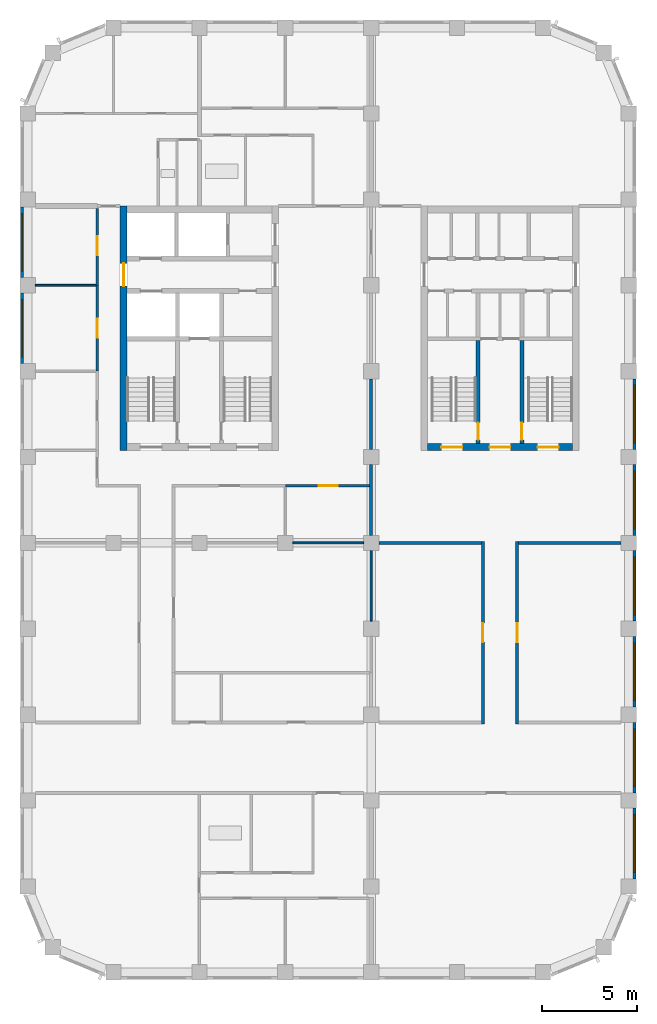
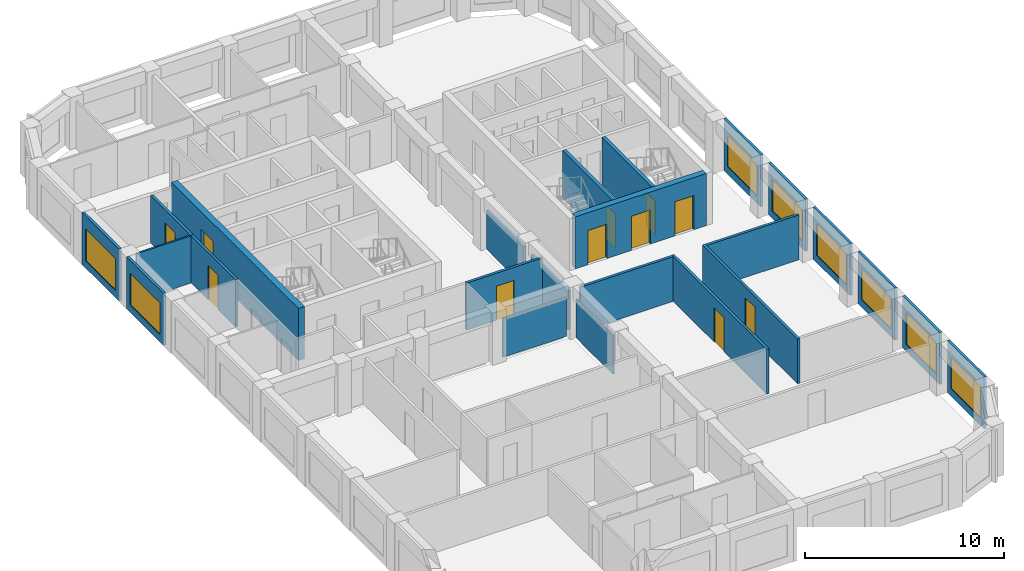
# One storey, part 4 of 9: 24 walls, 11 doors, 8 windows, 19 openings.
"""IFC4 building model written with IfcOpenShell, lengths in metres."""

from ifc_helpers import new_model, si_unit, direction, frame, frame_2d, origin, place, context, subcontext, project, spatial, rectangle, extrude, material, layer, layer_set, type_object, element, fill, save


model = new_model("IFC4")

# Units and contexts
model_context = context("Model", 3, precision=1e-05, world=origin(), true_north=direction((0.0, 1.0)))
body_context = subcontext(model_context, "Body", "Model", "MODEL_VIEW")
ifc_project = project(units=[si_unit("LENGTHUNIT", "METRE"), si_unit("AREAUNIT", "SQUARE_METRE"), si_unit("VOLUMEUNIT", "CUBIC_METRE"), si_unit("PLANEANGLEUNIT", "RADIAN"), si_unit("MASSUNIT", "GRAM", prefix="KILO")], contexts=[model_context])

# Site, building, storey
site_placement = place(None, origin())
site = spatial("IfcSite", under=ifc_project, at=site_placement, CompositionType="ELEMENT")
building_placement = place(site_placement, origin())
building = spatial("IfcBuilding", under=site, at=building_placement, Name="Girih Gate Residences", CompositionType="ELEMENT")
storey_placement = place(building_placement, frame((0.0, 0.0, 222.89501953125)))
storey = spatial("IfcBuildingStorey", under=building, at=storey_placement, Name="L62", CompositionType="ELEMENT", Elevation=222.89501953125)

# Walls
ifc_material_1 = material(Name="Gypsum board on steel studs", Category="steel")
ifc_layer_1 = layer(ifc_material_1, 0.14990234375)
ifc_layer_set_1 = layer_set([ifc_layer_1], Name="Compartment wall 150 mm")
wall_type_1 = type_object("IfcWallType", Name="Compartment wall 150 mm", PredefinedType="PARTITIONING", material=ifc_layer_set_1)
for number, where, z_axis, x_axis, name in (
    (1, (18.39990234375, 22.5, 0.0), (0.0, 0.0, 1.0), (1.0, 0.0, 0.0), "L62 partition"),
    (2, (25.72509765625, 22.5, 0.0), (0.0, 0.0, 1.0), (1.0, 0.0, 0.0), "L62 partition"),
):
    element("IfcWall", number, at=place(storey_placement, frame(where, z_axis=z_axis, x_axis=x_axis)), inside=storey, type_object=wall_type_1, Name=name, PredefinedType="PARTITIONING", context=body_context, shape_type="SweptSolid", body=[
        extrude(rectangle(XDim=5.375, YDim=0.14990234375, at=frame_2d((2.6875, 0.0))), origin(), (0.0, 0.0, 1.0), 2.75),
    ])
for number, where, z_axis, x_axis, name in (
    (3, (18.0, 27.39990234375, 0.0), (0.0, 0.0, 1.0), (0.0, 1.0, 0.0), "L62 partition"),
    (4, (18.0, 22.89990234375, 0.0), (0.0, 0.0, 1.0), (0.0, 1.0, 0.0), "L62 partition"),
):
    element("IfcWall", number, at=place(storey_placement, frame(where, z_axis=z_axis, x_axis=x_axis)), inside=storey, type_object=wall_type_1, Name=name, PredefinedType="PARTITIONING", context=body_context, shape_type="SweptSolid", body=[
        extrude(rectangle(XDim=3.7001953125, YDim=0.14990234375, at=frame_2d((1.85009765625, 0.0))), origin(), (0.0, 0.0, 1.0), 2.3798828125),
    ])

# Wall, opening, door
wall_1_placement = place(storey_placement, frame((23.85009765625, 13.02490234375, 0.0), z_axis=(0.0, 0.0, 1.0), x_axis=(0.0, 1.0, 0.0)))
wall_1 = element("IfcWall", 5, at=wall_1_placement, inside=storey, type_object=wall_type_1, Name="L62 partition", PredefinedType="PARTITIONING", context=body_context, shape_type="SweptSolid", body=[
    extrude(rectangle(XDim=9.550048828125, YDim=0.14990234375, at=frame_2d((4.77490234375, 0.0))), origin(), (0.0, 0.0, 1.0), 2.75),
])
opening_1_placement = place(wall_1_placement, frame((4.27490234375, 0.0, 0.0)))
opening_1 = element("IfcOpeningElement", 6, at=opening_1_placement, cuts=wall_1, Name="Opening A62-021", PredefinedType="OPENING", context=body_context, shape_type="SweptSolid", body=[
    extrude(rectangle(XDim=1.0, YDim=2.10009765625, at=frame_2d((0.5, 1.050048828125))), frame((0.0, 0.0849609375, 0.0), z_axis=(0.0, -1.0, 0.0), x_axis=(1.0, 0.0, 0.0)), (0.0, 0.0, 1.0), 0.169921875),
])
ifc_material_2 = material(Name="Timber, fire-rated core", Category="wood")
door_type_1 = type_object("IfcDoorType", Name="Amenity room door 1000x2100 FD30S", OperationType="NOTDEFINED", PredefinedType="DOOR", material=ifc_material_2)
door_1_placement = place(opening_1_placement, origin())
door_1 = element("IfcDoor", 7, at=door_1_placement, inside=storey, type_object=door_type_1, Name="Door A62-021", OperationType="SINGLE_SWING_RIGHT", OverallHeight=2.10009765625, OverallWidth=1.0, PredefinedType="DOOR", context=body_context, shape_type="SweptSolid", body=[
    extrude(rectangle(XDim=1.0, YDim=2.10009765625, at=frame_2d((0.5, 1.050048828125))), frame((0.0, 0.02490234375, 0.0), z_axis=(0.0, -1.0, 0.0), x_axis=(1.0, 0.0, 0.0)), (0.0, 0.0, 1.0), 0.050048828125),
])
fill(opening_1, door_1)

wall_2_placement = place(storey_placement, frame((25.64990234375, 22.574951171875, 0.0), z_axis=(0.0, 0.0, 1.0), x_axis=(0.0, -1.0, 0.0)))
wall_2 = element("IfcWall", 8, at=wall_2_placement, inside=storey, type_object=wall_type_1, Name="L62 partition", PredefinedType="PARTITIONING", context=body_context, shape_type="SweptSolid", body=[
    extrude(rectangle(XDim=9.550048828125, YDim=0.14990234375, at=frame_2d((4.77490234375, 0.0))), origin(), (0.0, 0.0, 1.0), 2.75),
])
opening_2_placement = place(wall_2_placement, frame((4.27490234375, 0.0, 0.0)))
opening_2 = element("IfcOpeningElement", 9, at=opening_2_placement, cuts=wall_2, Name="Opening A62-022", PredefinedType="OPENING", context=body_context, shape_type="SweptSolid", body=[
    extrude(rectangle(XDim=1.0, YDim=2.10009765625, at=frame_2d((0.5, 1.050048828125))), frame((0.0, 0.0849609375, 0.0), z_axis=(0.0, -1.0, 0.0), x_axis=(1.0, 0.0, 0.0)), (0.0, 0.0, 1.0), 0.169921875),
])
door_2_placement = place(opening_2_placement, origin())
door_2 = element("IfcDoor", 10, at=door_2_placement, inside=storey, type_object=door_type_1, Name="Door A62-022", OperationType="SINGLE_SWING_LEFT", OverallHeight=2.10009765625, OverallWidth=1.0, PredefinedType="DOOR", context=body_context, shape_type="SweptSolid", body=[
    extrude(rectangle(XDim=1.0, YDim=2.10009765625, at=frame_2d((0.5, 1.050048828125))), frame((0.0, 0.02490234375, 0.0), z_axis=(0.0, -1.0, 0.0), x_axis=(1.0, 0.0, 0.0)), (0.0, 0.0, 1.0), 0.050048828125),
])
fill(opening_2, door_2)

wall_3_placement = place(storey_placement, frame((17.925048828125, 25.5, 0.0), z_axis=(0.0, 0.0, 1.0), x_axis=(-1.0, 0.0, 0.0)))
wall_3 = element("IfcWall", 11, at=wall_3_placement, inside=storey, type_object=wall_type_1, Name="L62 partition", PredefinedType="PARTITIONING", context=body_context, shape_type="SweptSolid", body=[
    extrude(rectangle(XDim=4.425048828125, YDim=0.14990234375, at=frame_2d((2.21240234375, 0.0))), origin(), (0.0, 0.0, 1.0), 2.89990234375),
])
opening_3_placement = place(wall_3_placement, frame((1.675048828125, 0.0, 0.0)))
opening_3 = element("IfcOpeningElement", 12, at=opening_3_placement, cuts=wall_3, Name="Opening A62-027", PredefinedType="OPENING", context=body_context, shape_type="SweptSolid", body=[
    extrude(rectangle(XDim=1.0, YDim=2.10009765625, at=frame_2d((0.5, 1.050048828125))), frame((0.0, 0.0849609375, 0.0), z_axis=(0.0, -1.0, 0.0), x_axis=(1.0, 0.0, 0.0)), (0.0, 0.0, 1.0), 0.169921875),
])
door_3_placement = place(opening_3_placement, origin())
door_3 = element("IfcDoor", 13, at=door_3_placement, inside=storey, type_object=door_type_1, Name="Door A62-027", OperationType="SINGLE_SWING_LEFT", OverallHeight=2.10009765625, OverallWidth=1.0, PredefinedType="DOOR", context=body_context, shape_type="SweptSolid", body=[
    extrude(rectangle(XDim=1.0, YDim=2.10009765625, at=frame_2d((0.5, 1.050048828125))), frame((0.0, 0.02490234375, 0.0), z_axis=(0.0, -1.0, 0.0), x_axis=(1.0, 0.0, 0.0)), (0.0, 0.0, 1.0), 0.050048828125),
])
fill(opening_3, door_3)

wall_4_placement = place(storey_placement, frame((3.64990234375, 31.5, 0.0), z_axis=(0.0, 0.0, 1.0), x_axis=(0.0, 1.0, 0.0)))
wall_4 = element("IfcWall", 14, at=wall_4_placement, inside=storey, type_object=wall_type_1, Name="L62 partition", PredefinedType="PARTITIONING", context=body_context, shape_type="SweptSolid", body=[
    extrude(rectangle(XDim=4.5, YDim=0.14990234375, at=frame_2d((2.25, 0.0))), origin(), (0.0, 0.0, 1.0), 2.89990234375),
])
opening_4_placement = place(wall_4_placement, frame((1.75, 0.0, 0.0)))
opening_4 = element("IfcOpeningElement", 15, at=opening_4_placement, cuts=wall_4, Name="Opening A62-029", PredefinedType="OPENING", context=body_context, shape_type="SweptSolid", body=[
    extrude(rectangle(XDim=1.0, YDim=2.10009765625, at=frame_2d((0.5, 1.050048828125))), frame((0.0, 0.0849609375, 0.0), z_axis=(0.0, -1.0, 0.0), x_axis=(1.0, 0.0, 0.0)), (0.0, 0.0, 1.0), 0.169921875),
])
door_4_placement = place(opening_4_placement, origin())
door_4 = element("IfcDoor", 16, at=door_4_placement, inside=storey, type_object=door_type_1, Name="Door A62-029", OperationType="SINGLE_SWING_RIGHT", OverallHeight=2.10009765625, OverallWidth=1.0, PredefinedType="DOOR", context=body_context, shape_type="SweptSolid", body=[
    extrude(rectangle(XDim=1.0, YDim=2.10009765625, at=frame_2d((0.5, 1.050048828125))), frame((0.0, 0.02490234375, 0.0), z_axis=(0.0, -1.0, 0.0), x_axis=(1.0, 0.0, 0.0)), (0.0, 0.0, 1.0), 0.050048828125),
])
fill(opening_4, door_4)

wall_5_placement = place(storey_placement, frame((3.64990234375, 36.0, 0.0), z_axis=(0.0, 0.0, 1.0), x_axis=(0.0, 1.0, 0.0)))
wall_5 = element("IfcWall", 17, at=wall_5_placement, inside=storey, type_object=wall_type_1, Name="L62 partition", PredefinedType="PARTITIONING", context=body_context, shape_type="SweptSolid", body=[
    extrude(rectangle(XDim=4.02490234375, YDim=0.14990234375, at=frame_2d((2.012451171875, 0.0))), origin(), (0.0, 0.0, 1.0), 2.89990234375),
])
opening_5_placement = place(wall_5_placement, frame((1.574951171875, 0.0, 0.0)))
opening_5 = element("IfcOpeningElement", 18, at=opening_5_placement, cuts=wall_5, Name="Opening A62-030", PredefinedType="OPENING", context=body_context, shape_type="SweptSolid", body=[
    extrude(rectangle(XDim=1.0, YDim=2.10009765625, at=frame_2d((0.5, 1.050048828125))), frame((0.0, 0.0849609375, 0.0), z_axis=(0.0, -1.0, 0.0), x_axis=(1.0, 0.0, 0.0)), (0.0, 0.0, 1.0), 0.169921875),
])
door_5_placement = place(opening_5_placement, origin())
door_5 = element("IfcDoor", 19, at=door_5_placement, inside=storey, type_object=door_type_1, Name="Door A62-030", OperationType="SINGLE_SWING_RIGHT", OverallHeight=2.10009765625, OverallWidth=1.0, PredefinedType="DOOR", context=body_context, shape_type="SweptSolid", body=[
    extrude(rectangle(XDim=1.0, YDim=2.10009765625, at=frame_2d((0.5, 1.050048828125))), frame((0.0, 0.02490234375, 0.0), z_axis=(0.0, -1.0, 0.0), x_axis=(1.0, 0.0, 0.0)), (0.0, 0.0, 1.0), 0.050048828125),
])
fill(opening_5, door_5)

ifc_material_3 = material(Name="Concrete C60/75", Category="concrete")
ifc_layer_2 = layer(ifc_material_3, 0.35009765625)
ifc_layer_set_2 = layer_set([ifc_layer_2], Name="Core wall RC 350 Concrete C60/75")
wall_type_2 = type_object("IfcWallType", Name="Core wall RC 350 Concrete C60/75", PredefinedType="SOLIDWALL", material=ifc_layer_set_2)
wall_6_placement = place(storey_placement, frame((5.02490234375, 27.35009765625, 0.0), z_axis=(0.0, 0.0, 1.0), x_axis=(0.0, 1.0, 0.0)))
wall_6 = element("IfcWall", 20, at=wall_6_placement, inside=storey, type_object=wall_type_2, Name="Core wall W-W L62", PredefinedType="SOLIDWALL", context=body_context, shape_type="SweptSolid", body=[
    extrude(rectangle(XDim=12.7998046875, YDim=0.35009765625, at=frame_2d((6.39990234375, 0.0))), origin(), (0.0, 0.0, 1.0), 3.199951171875),
])
opening_6_placement = place(wall_6_placement, frame((8.60009765625, 0.0, 0.0)))
opening_6 = element("IfcOpeningElement", 21, at=opening_6_placement, cuts=wall_6, Name="Opening D-L62-W-012", PredefinedType="OPENING", context=body_context, shape_type="SweptSolid", body=[
    extrude(rectangle(XDim=1.199951171875, YDim=2.10009765625, at=frame_2d((0.60009765625, 1.050048828125))), frame((0.0, 0.18505859375, 0.0), z_axis=(0.0, -1.0, 0.0), x_axis=(1.0, 0.0, 0.0)), (0.0, 0.0, 1.0), 0.3701171875),
])
ifc_material_4 = material(Name="Painted steel, fire-resisting", Category="steel")
door_type_2 = type_object("IfcDoorType", Name="Fire door 1200x2100", OperationType="SINGLE_SWING_LEFT", PredefinedType="DOOR", material=ifc_material_4)
door_6_placement = place(opening_6_placement, origin())
door_6 = element("IfcDoor", 22, at=door_6_placement, inside=storey, type_object=door_type_2, Name="L62 W core door ll-w", OperationType="SINGLE_SWING_LEFT", OverallHeight=2.10009765625, OverallWidth=1.199951171875, PredefinedType="DOOR", context=body_context, shape_type="SweptSolid", body=[
    extrude(rectangle(XDim=1.199951171875, YDim=2.10009765625, at=frame_2d((0.60009765625, 1.050048828125))), frame((0.0, 0.02490234375, 0.0), z_axis=(0.0, -1.0, 0.0), x_axis=(1.0, 0.0, 0.0)), (0.0, 0.0, 1.0), 0.050048828125),
])
fill(opening_6, door_6)

# Walls
ifc_layer_3 = layer(ifc_material_1, 0.10009765625)
ifc_layer_set_3 = layer_set([ifc_layer_3], Name="Partition 100 mm")
wall_type_3 = type_object("IfcWallType", Name="Partition 100 mm", PredefinedType="PARTITIONING", material=ifc_layer_set_3)
for number, where, z_axis, x_axis, name in (
    (23, (18.0, 18.39990234375, 0.0), (0.0, 0.0, 1.0), (0.0, 1.0, 0.0), "L62 partition"),
    (24, (13.89990234375, 22.5, 0.0), (0.0, 0.0, 1.0), (1.0, 0.0, 0.0), "L62 partition"),
):
    element("IfcWall", number, at=place(storey_placement, frame(where, z_axis=z_axis, x_axis=x_axis)), inside=storey, type_object=wall_type_3, Name=name, PredefinedType="PARTITIONING", context=body_context, shape_type="SweptSolid", body=[
        extrude(rectangle(XDim=3.7001953125, YDim=0.10009765625, at=frame_2d((1.85009765625, 0.0))), origin(), (0.0, 0.0, 1.0), 2.3798828125),
    ])
wall_7_placement = place(storey_placement, frame((0.39990234375, 36.0, 0.0), z_axis=(0.0, 0.0, 1.0), x_axis=(1.0, 0.0, 0.0)))
element("IfcWall", 25, at=wall_7_placement, inside=storey, type_object=wall_type_3, Name="L62 partition", PredefinedType="PARTITIONING", context=body_context, shape_type="SweptSolid", body=[
    extrude(rectangle(XDim=3.175048828125, YDim=0.10009765625, at=frame_2d((1.58740234375, 0.0))), origin(), (0.0, 0.0, 1.0), 2.89990234375),
])

# Wall, opening, window
ifc_material_5 = material(Name="Precast concrete C50/60", Category="concrete")
ifc_layer_4 = layer(ifc_material_5, 0.050048828125, Name="Outer leaf")
ifc_material_6 = material(Name="Rigid PIR insulation")
ifc_layer_5 = layer(ifc_material_6, 0.06005859375, Name="Insulation")
ifc_material_7 = material(Name="Precast concrete C40/50", Category="concrete")
ifc_layer_6 = layer(ifc_material_7, 0.0400390625, Name="Inner leaf")
ifc_layer_set_4 = layer_set([ifc_layer_4, ifc_layer_5, ifc_layer_6], Name="Precast concrete C50/60 external wall 150")
wall_type_4 = type_object("IfcWallType", Name="Precast concrete C50/60 external wall 150", PredefinedType="SOLIDWALL", material=ifc_layer_set_4)
wall_8_placement = place(storey_placement, frame((31.800048828125, 8.60009765625, 0.0), z_axis=(0.0, 0.0, 1.0), x_axis=(0.0, -1.0, 0.0)))
wall_8 = element("IfcWall", 26, at=wall_8_placement, inside=storey, type_object=wall_type_4, Name="External wall E0315_0045.0", PredefinedType="SOLIDWALL", context=body_context, shape_type="SweptSolid", body=[
    extrude(rectangle(XDim=3.7001953125, YDim=0.14990234375, at=frame_2d((1.85009765625, 0.0))), origin(), (0.0, 0.0, 1.0), 3.199951171875),
])
opening_7_placement = place(wall_8_placement, frame((0.35009765625, 0.0, 0.449951171875)))
opening_7 = element("IfcOpeningElement", 27, at=opening_7_placement, cuts=wall_8, Name="Opening W-1D", PredefinedType="OPENING", context=body_context, shape_type="SweptSolid", body=[
    extrude(rectangle(XDim=3.0, YDim=1.949951171875, at=frame_2d((1.5, 0.97509765625))), frame((0.0, 0.0849609375, 0.0), z_axis=(0.0, -1.0, 0.0), x_axis=(1.0, 0.0, 0.0)), (0.0, 0.0, 1.0), 0.169921875),
])
ifc_material_8 = material(Name="Double glazing in aluminium frame", Category="aluminium")
window_type = type_object("IfcWindowType", Name="Window W-1D 3000x1950", PartitioningType="SINGLE_PANEL", PredefinedType="WINDOW", material=ifc_material_8)
window_1_placement = place(opening_7_placement, origin())
window_1 = element("IfcWindow", 28, at=window_1_placement, inside=storey, type_object=window_type, Name="Window W-1D E0315_0045.0", OverallHeight=1.949951171875, OverallWidth=3.0, PartitioningType="SINGLE_PANEL", PredefinedType="WINDOW", context=body_context, shape_type="SweptSolid", body=[
    extrude(rectangle(XDim=3.0, YDim=1.949951171875, at=frame_2d((1.5, 0.97509765625))), frame((0.0, 0.030029296875, 0.0), z_axis=(0.0, -1.0, 0.0), x_axis=(1.0, 0.0, 0.0)), (0.0, 0.0, 1.0), 0.06005859375),
])
fill(opening_7, window_1)

wall_9_placement = place(storey_placement, frame((31.800048828125, 13.10009765625, 0.0), z_axis=(0.0, 0.0, 1.0), x_axis=(0.0, -1.0, 0.0)))
wall_9 = element("IfcWall", 29, at=wall_9_placement, inside=storey, type_object=wall_type_4, Name="External wall E0315_0045.1", PredefinedType="SOLIDWALL", context=body_context, shape_type="SweptSolid", body=[
    extrude(rectangle(XDim=3.7001953125, YDim=0.14990234375, at=frame_2d((1.85009765625, 0.0))), origin(), (0.0, 0.0, 1.0), 3.199951171875),
])
opening_8_placement = place(wall_9_placement, frame((0.35009765625, 0.0, 0.449951171875)))
opening_8 = element("IfcOpeningElement", 30, at=opening_8_placement, cuts=wall_9, Name="Opening W-1D", PredefinedType="OPENING", context=body_context, shape_type="SweptSolid", body=[
    extrude(rectangle(XDim=3.0, YDim=1.949951171875, at=frame_2d((1.5, 0.97509765625))), frame((0.0, 0.0849609375, 0.0), z_axis=(0.0, -1.0, 0.0), x_axis=(1.0, 0.0, 0.0)), (0.0, 0.0, 1.0), 0.169921875),
])
window_2_placement = place(opening_8_placement, origin())
window_2 = element("IfcWindow", 31, at=window_2_placement, inside=storey, type_object=window_type, Name="Window W-1D E0315_0045.1", OverallHeight=1.949951171875, OverallWidth=3.0, PartitioningType="SINGLE_PANEL", PredefinedType="WINDOW", context=body_context, shape_type="SweptSolid", body=[
    extrude(rectangle(XDim=3.0, YDim=1.949951171875, at=frame_2d((1.5, 0.97509765625))), frame((0.0, 0.030029296875, 0.0), z_axis=(0.0, -1.0, 0.0), x_axis=(1.0, 0.0, 0.0)), (0.0, 0.0, 1.0), 0.06005859375),
])
fill(opening_8, window_2)

wall_10_placement = place(storey_placement, frame((31.800048828125, 17.60009765625, 0.0), z_axis=(0.0, 0.0, 1.0), x_axis=(0.0, -1.0, 0.0)))
wall_10 = element("IfcWall", 32, at=wall_10_placement, inside=storey, type_object=wall_type_4, Name="External wall E0315_0045.2", PredefinedType="SOLIDWALL", context=body_context, shape_type="SweptSolid", body=[
    extrude(rectangle(XDim=3.7001953125, YDim=0.14990234375, at=frame_2d((1.85009765625, 0.0))), origin(), (0.0, 0.0, 1.0), 3.199951171875),
])
opening_9_placement = place(wall_10_placement, frame((0.35009765625, 0.0, 0.449951171875)))
opening_9 = element("IfcOpeningElement", 33, at=opening_9_placement, cuts=wall_10, Name="Opening W-1D", PredefinedType="OPENING", context=body_context, shape_type="SweptSolid", body=[
    extrude(rectangle(XDim=3.0, YDim=1.949951171875, at=frame_2d((1.5, 0.97509765625))), frame((0.0, 0.0849609375, 0.0), z_axis=(0.0, -1.0, 0.0), x_axis=(1.0, 0.0, 0.0)), (0.0, 0.0, 1.0), 0.169921875),
])
window_3_placement = place(opening_9_placement, origin())
window_3 = element("IfcWindow", 34, at=window_3_placement, inside=storey, type_object=window_type, Name="Window W-1D E0315_0045.2", OverallHeight=1.949951171875, OverallWidth=3.0, PartitioningType="SINGLE_PANEL", PredefinedType="WINDOW", context=body_context, shape_type="SweptSolid", body=[
    extrude(rectangle(XDim=3.0, YDim=1.949951171875, at=frame_2d((1.5, 0.97509765625))), frame((0.0, 0.030029296875, 0.0), z_axis=(0.0, -1.0, 0.0), x_axis=(1.0, 0.0, 0.0)), (0.0, 0.0, 1.0), 0.06005859375),
])
fill(opening_9, window_3)

wall_11_placement = place(storey_placement, frame((31.800048828125, 22.10009765625, 0.0), z_axis=(0.0, 0.0, 1.0), x_axis=(0.0, -1.0, 0.0)))
wall_11 = element("IfcWall", 35, at=wall_11_placement, inside=storey, type_object=wall_type_4, Name="External wall E0315_0045.3", PredefinedType="SOLIDWALL", context=body_context, shape_type="SweptSolid", body=[
    extrude(rectangle(XDim=3.7001953125, YDim=0.14990234375, at=frame_2d((1.85009765625, 0.0))), origin(), (0.0, 0.0, 1.0), 3.199951171875),
])
opening_10_placement = place(wall_11_placement, frame((0.35009765625, 0.0, 0.449951171875)))
opening_10 = element("IfcOpeningElement", 36, at=opening_10_placement, cuts=wall_11, Name="Opening W-1D", PredefinedType="OPENING", context=body_context, shape_type="SweptSolid", body=[
    extrude(rectangle(XDim=3.0, YDim=1.949951171875, at=frame_2d((1.5, 0.97509765625))), frame((0.0, 0.0849609375, 0.0), z_axis=(0.0, -1.0, 0.0), x_axis=(1.0, 0.0, 0.0)), (0.0, 0.0, 1.0), 0.169921875),
])
window_4_placement = place(opening_10_placement, origin())
window_4 = element("IfcWindow", 37, at=window_4_placement, inside=storey, type_object=window_type, Name="Window W-1D E0315_0045.3", OverallHeight=1.949951171875, OverallWidth=3.0, PartitioningType="SINGLE_PANEL", PredefinedType="WINDOW", context=body_context, shape_type="SweptSolid", body=[
    extrude(rectangle(XDim=3.0, YDim=1.949951171875, at=frame_2d((1.5, 0.97509765625))), frame((0.0, 0.030029296875, 0.0), z_axis=(0.0, -1.0, 0.0), x_axis=(1.0, 0.0, 0.0)), (0.0, 0.0, 1.0), 0.06005859375),
])
fill(opening_10, window_4)

wall_12_placement = place(storey_placement, frame((31.800048828125, 26.60009765625, 0.0), z_axis=(0.0, 0.0, 1.0), x_axis=(0.0, -1.0, 0.0)))
wall_12 = element("IfcWall", 38, at=wall_12_placement, inside=storey, type_object=wall_type_4, Name="External wall E0315_0045.4", PredefinedType="SOLIDWALL", context=body_context, shape_type="SweptSolid", body=[
    extrude(rectangle(XDim=3.7001953125, YDim=0.14990234375, at=frame_2d((1.85009765625, 0.0))), origin(), (0.0, 0.0, 1.0), 3.199951171875),
])
opening_11_placement = place(wall_12_placement, frame((0.35009765625, 0.0, 0.449951171875)))
opening_11 = element("IfcOpeningElement", 39, at=opening_11_placement, cuts=wall_12, Name="Opening W-1D", PredefinedType="OPENING", context=body_context, shape_type="SweptSolid", body=[
    extrude(rectangle(XDim=3.0, YDim=1.949951171875, at=frame_2d((1.5, 0.97509765625))), frame((0.0, 0.0849609375, 0.0), z_axis=(0.0, -1.0, 0.0), x_axis=(1.0, 0.0, 0.0)), (0.0, 0.0, 1.0), 0.169921875),
])
window_5_placement = place(opening_11_placement, origin())
window_5 = element("IfcWindow", 40, at=window_5_placement, inside=storey, type_object=window_type, Name="Window W-1D E0315_0045.4", OverallHeight=1.949951171875, OverallWidth=3.0, PartitioningType="SINGLE_PANEL", PredefinedType="WINDOW", context=body_context, shape_type="SweptSolid", body=[
    extrude(rectangle(XDim=3.0, YDim=1.949951171875, at=frame_2d((1.5, 0.97509765625))), frame((0.0, 0.030029296875, 0.0), z_axis=(0.0, -1.0, 0.0), x_axis=(1.0, 0.0, 0.0)), (0.0, 0.0, 1.0), 0.06005859375),
])
fill(opening_11, window_5)

wall_13_placement = place(storey_placement, frame((31.800048828125, 31.10009765625, 0.0), z_axis=(0.0, 0.0, 1.0), x_axis=(0.0, -1.0, 0.0)))
wall_13 = element("IfcWall", 41, at=wall_13_placement, inside=storey, type_object=wall_type_4, Name="External wall E0315_0045.5", PredefinedType="SOLIDWALL", context=body_context, shape_type="SweptSolid", body=[
    extrude(rectangle(XDim=3.7001953125, YDim=0.14990234375, at=frame_2d((1.85009765625, 0.0))), origin(), (0.0, 0.0, 1.0), 3.199951171875),
])
opening_12_placement = place(wall_13_placement, frame((0.35009765625, 0.0, 0.449951171875)))
opening_12 = element("IfcOpeningElement", 42, at=opening_12_placement, cuts=wall_13, Name="Opening W-1D", PredefinedType="OPENING", context=body_context, shape_type="SweptSolid", body=[
    extrude(rectangle(XDim=3.0, YDim=1.949951171875, at=frame_2d((1.5, 0.97509765625))), frame((0.0, 0.0849609375, 0.0), z_axis=(0.0, -1.0, 0.0), x_axis=(1.0, 0.0, 0.0)), (0.0, 0.0, 1.0), 0.169921875),
])
window_6_placement = place(opening_12_placement, origin())
window_6 = element("IfcWindow", 43, at=window_6_placement, inside=storey, type_object=window_type, Name="Window W-1D E0315_0045.5", OverallHeight=1.949951171875, OverallWidth=3.0, PartitioningType="SINGLE_PANEL", PredefinedType="WINDOW", context=body_context, shape_type="SweptSolid", body=[
    extrude(rectangle(XDim=3.0, YDim=1.949951171875, at=frame_2d((1.5, 0.97509765625))), frame((0.0, 0.030029296875, 0.0), z_axis=(0.0, -1.0, 0.0), x_axis=(1.0, 0.0, 0.0)), (0.0, 0.0, 1.0), 0.06005859375),
])
fill(opening_12, window_6)

wall_14_placement = place(storey_placement, frame((-0.300048828125, 36.39990234375, 0.0), z_axis=(0.0, 0.0, 1.0), x_axis=(0.0, 1.0, 0.0)))
wall_14 = element("IfcWall", 44, at=wall_14_placement, inside=storey, type_object=wall_type_4, Name="External wall W0000_0450.1", PredefinedType="SOLIDWALL", context=body_context, shape_type="SweptSolid", body=[
    extrude(rectangle(XDim=3.7001953125, YDim=0.14990234375, at=frame_2d((1.85009765625, 0.0))), origin(), (0.0, 0.0, 1.0), 3.199951171875),
])
opening_13_placement = place(wall_14_placement, frame((0.35009765625, 0.0, 0.449951171875)))
opening_13 = element("IfcOpeningElement", 45, at=opening_13_placement, cuts=wall_14, Name="Opening W-1D", PredefinedType="OPENING", context=body_context, shape_type="SweptSolid", body=[
    extrude(rectangle(XDim=3.0, YDim=1.949951171875, at=frame_2d((1.5, 0.97509765625))), frame((0.0, 0.0849609375, 0.0), z_axis=(0.0, -1.0, 0.0), x_axis=(1.0, 0.0, 0.0)), (0.0, 0.0, 1.0), 0.169921875),
])
window_7_placement = place(opening_13_placement, origin())
window_7 = element("IfcWindow", 46, at=window_7_placement, inside=storey, type_object=window_type, Name="Window W-1D W0000_0450.1", OverallHeight=1.949951171875, OverallWidth=3.0, PartitioningType="SINGLE_PANEL", PredefinedType="WINDOW", context=body_context, shape_type="SweptSolid", body=[
    extrude(rectangle(XDim=3.0, YDim=1.949951171875, at=frame_2d((1.5, 0.97509765625))), frame((0.0, 0.030029296875, 0.0), z_axis=(0.0, -1.0, 0.0), x_axis=(1.0, 0.0, 0.0)), (0.0, 0.0, 1.0), 0.06005859375),
])
fill(opening_13, window_7)

wall_15_placement = place(storey_placement, frame((-0.300048828125, 31.89990234375, 0.0), z_axis=(0.0, 0.0, 1.0), x_axis=(0.0, 1.0, 0.0)))
wall_15 = element("IfcWall", 47, at=wall_15_placement, inside=storey, type_object=wall_type_4, Name="External wall W0000_0450.2", PredefinedType="SOLIDWALL", context=body_context, shape_type="SweptSolid", body=[
    extrude(rectangle(XDim=3.7001953125, YDim=0.14990234375, at=frame_2d((1.85009765625, 0.0))), origin(), (0.0, 0.0, 1.0), 3.199951171875),
])
opening_14_placement = place(wall_15_placement, frame((0.35009765625, 0.0, 0.449951171875)))
opening_14 = element("IfcOpeningElement", 48, at=opening_14_placement, cuts=wall_15, Name="Opening W-1D", PredefinedType="OPENING", context=body_context, shape_type="SweptSolid", body=[
    extrude(rectangle(XDim=3.0, YDim=1.949951171875, at=frame_2d((1.5, 0.97509765625))), frame((0.0, 0.0849609375, 0.0), z_axis=(0.0, -1.0, 0.0), x_axis=(1.0, 0.0, 0.0)), (0.0, 0.0, 1.0), 0.169921875),
])
window_8_placement = place(opening_14_placement, origin())
window_8 = element("IfcWindow", 49, at=window_8_placement, inside=storey, type_object=window_type, Name="Window W-1D W0000_0450.2", OverallHeight=1.949951171875, OverallWidth=3.0, PartitioningType="SINGLE_PANEL", PredefinedType="WINDOW", context=body_context, shape_type="SweptSolid", body=[
    extrude(rectangle(XDim=3.0, YDim=1.949951171875, at=frame_2d((1.5, 0.97509765625))), frame((0.0, 0.030029296875, 0.0), z_axis=(0.0, -1.0, 0.0), x_axis=(1.0, 0.0, 0.0)), (0.0, 0.0, 1.0), 0.06005859375),
])
fill(opening_14, window_8)

# Wall, opening, door
ifc_material_9 = material(Name="Concrete C40/50", Category="concrete")
ifc_layer_7 = layer(ifc_material_9, 0.199951171875)
ifc_layer_set_5 = layer_set([ifc_layer_7], Name="Shaft wall 200")
wall_type_5 = type_object("IfcWallType", Name="Shaft wall 200", PredefinedType="SOLIDWALL", material=ifc_layer_set_5)
wall_16_placement = place(storey_placement, frame((23.60009765625, 27.699951171875, 0.0), z_axis=(0.0, 0.0, 1.0), x_axis=(0.0, 1.0, 0.0)))
wall_16 = element("IfcWall", 50, at=wall_16_placement, inside=storey, type_object=wall_type_5, Name="L62 C core wall V1a", PredefinedType="SOLIDWALL", context=body_context, shape_type="SweptSolid", body=[
    extrude(rectangle(XDim=5.400146484375, YDim=0.199951171875, at=frame_2d((2.7001953125, 0.0))), origin(), (0.0, 0.0, 1.0), 2.89990234375),
])
opening_15_placement = place(wall_16_placement, frame((0.199951171875, 0.0, 0.0)))
opening_15 = element("IfcOpeningElement", 51, at=opening_15_placement, cuts=wall_16, Name="Opening D-L62-C-001", PredefinedType="OPENING", context=body_context, shape_type="SweptSolid", body=[
    extrude(rectangle(XDim=0.89990234375, YDim=2.10009765625, at=frame_2d((0.449951171875, 1.050048828125))), frame((0.0, 0.10986328125, 0.0), z_axis=(0.0, -1.0, 0.0), x_axis=(1.0, 0.0, 0.0)), (0.0, 0.0, 1.0), 0.219970703125),
])
door_type_3 = type_object("IfcDoorType", Name="Fire door 900x2100", OperationType="SINGLE_SWING_LEFT", PredefinedType="DOOR", material=ifc_material_4)
door_7_placement = place(opening_15_placement, origin())
door_7 = element("IfcDoor", 52, at=door_7_placement, inside=storey, type_object=door_type_3, Name="L62 C door stair 1 to stair lobby", OperationType="SINGLE_SWING_LEFT", OverallHeight=2.10009765625, OverallWidth=0.89990234375, PredefinedType="DOOR", context=body_context, shape_type="SweptSolid", body=[
    extrude(rectangle(XDim=0.89990234375, YDim=2.10009765625, at=frame_2d((0.449951171875, 1.050048828125))), frame((0.0, 0.02490234375, 0.0), z_axis=(0.0, -1.0, 0.0), x_axis=(1.0, 0.0, 0.0)), (0.0, 0.0, 1.0), 0.050048828125),
])
fill(opening_15, door_7)

wall_17_placement = place(storey_placement, frame((25.89990234375, 27.699951171875, 0.0), z_axis=(0.0, 0.0, 1.0), x_axis=(0.0, 1.0, 0.0)))
wall_17 = element("IfcWall", 53, at=wall_17_placement, inside=storey, type_object=wall_type_5, Name="L62 C core wall V2a", PredefinedType="SOLIDWALL", context=body_context, shape_type="SweptSolid", body=[
    extrude(rectangle(XDim=5.400146484375, YDim=0.199951171875, at=frame_2d((2.7001953125, 0.0))), origin(), (0.0, 0.0, 1.0), 2.89990234375),
])
opening_16_placement = place(wall_17_placement, frame((0.199951171875, 0.0, 0.0)))
opening_16 = element("IfcOpeningElement", 54, at=opening_16_placement, cuts=wall_17, Name="Opening D-L62-C-002", PredefinedType="OPENING", context=body_context, shape_type="SweptSolid", body=[
    extrude(rectangle(XDim=0.89990234375, YDim=2.10009765625, at=frame_2d((0.449951171875, 1.050048828125))), frame((0.0, 0.10986328125, 0.0), z_axis=(0.0, -1.0, 0.0), x_axis=(1.0, 0.0, 0.0)), (0.0, 0.0, 1.0), 0.219970703125),
])
door_8_placement = place(opening_16_placement, origin())
door_8 = element("IfcDoor", 55, at=door_8_placement, inside=storey, type_object=door_type_3, Name="L62 C door stair 2 to stair lobby", OperationType="SINGLE_SWING_LEFT", OverallHeight=2.10009765625, OverallWidth=0.89990234375, PredefinedType="DOOR", context=body_context, shape_type="SweptSolid", body=[
    extrude(rectangle(XDim=0.89990234375, YDim=2.10009765625, at=frame_2d((0.449951171875, 1.050048828125))), frame((0.0, 0.02490234375, 0.0), z_axis=(0.0, -1.0, 0.0), x_axis=(1.0, 0.0, 0.0)), (0.0, 0.0, 1.0), 0.050048828125),
])
fill(opening_16, door_8)

# Wall, openings, doors
ifc_layer_8 = layer(ifc_material_9, 0.35009765625)
ifc_layer_set_6 = layer_set([ifc_layer_8], Name="Stair core wall RC 350 Concrete C40/50")
wall_type_6 = type_object("IfcWallType", Name="Stair core wall RC 350 Concrete C40/50", PredefinedType="SOLIDWALL", material=ifc_layer_set_6)
wall_18_placement = place(storey_placement, frame((20.949951171875, 27.52490234375, 0.0), z_axis=(0.0, 0.0, 1.0), x_axis=(1.0, 0.0, 0.0)))
wall_18 = element("IfcWall", 56, at=wall_18_placement, inside=storey, type_object=wall_type_6, Name="Stair core wall C-S L62", PredefinedType="SOLIDWALL", context=body_context, shape_type="SweptSolid", body=[
    extrude(rectangle(XDim=7.60009765625, YDim=0.35009765625, at=frame_2d((3.800048828125, 0.0))), origin(), (0.0, 0.0, 1.0), 3.199951171875),
])
opening_17_placement = place(wall_18_placement, frame((0.72509765625, 0.0, 0.0)))
opening_17 = element("IfcOpeningElement", 57, at=opening_17_placement, cuts=wall_18, Name="Opening D-L62-C-014", PredefinedType="OPENING", context=body_context, shape_type="SweptSolid", body=[
    extrude(rectangle(XDim=1.10009765625, YDim=2.10009765625, at=frame_2d((0.550048828125, 1.050048828125))), frame((0.0, 0.18505859375, 0.0), z_axis=(0.0, -1.0, 0.0), x_axis=(1.0, 0.0, 0.0)), (0.0, 0.0, 1.0), 0.3701171875),
])
opening_18_placement = place(wall_18_placement, frame((3.25, 0.0, 0.0)))
opening_18 = element("IfcOpeningElement", 58, at=opening_18_placement, cuts=wall_18, Name="Opening D-L62-C-015", PredefinedType="OPENING", context=body_context, shape_type="SweptSolid", body=[
    extrude(rectangle(XDim=1.10009765625, YDim=2.10009765625, at=frame_2d((0.550048828125, 1.050048828125))), frame((0.0, 0.18505859375, 0.0), z_axis=(0.0, -1.0, 0.0), x_axis=(1.0, 0.0, 0.0)), (0.0, 0.0, 1.0), 0.3701171875),
])
opening_19_placement = place(wall_18_placement, frame((5.77490234375, 0.0, 0.0)))
opening_19 = element("IfcOpeningElement", 59, at=opening_19_placement, cuts=wall_18, Name="Opening D-L62-C-016", PredefinedType="OPENING", context=body_context, shape_type="SweptSolid", body=[
    extrude(rectangle(XDim=1.10009765625, YDim=2.10009765625, at=frame_2d((0.550048828125, 1.050048828125))), frame((0.0, 0.18505859375, 0.0), z_axis=(0.0, -1.0, 0.0), x_axis=(1.0, 0.0, 0.0)), (0.0, 0.0, 1.0), 0.3701171875),
])
door_type_4 = type_object("IfcDoorType", Name="Fire door 1100x2100", OperationType="SINGLE_SWING_LEFT", PredefinedType="DOOR", material=ifc_material_4)
door_9_placement = place(opening_17_placement, origin())
door_9 = element("IfcDoor", 60, at=door_9_placement, inside=storey, type_object=door_type_4, Name="L62 C core door sta-out", OperationType="SINGLE_SWING_LEFT", OverallHeight=2.10009765625, OverallWidth=1.10009765625, PredefinedType="DOOR", context=body_context, shape_type="SweptSolid", body=[
    extrude(rectangle(XDim=1.10009765625, YDim=2.10009765625, at=frame_2d((0.550048828125, 1.050048828125))), frame((0.0, 0.02490234375, 0.0), z_axis=(0.0, -1.0, 0.0), x_axis=(1.0, 0.0, 0.0)), (0.0, 0.0, 1.0), 0.050048828125),
])
fill(opening_17, door_9)
door_10_placement = place(opening_18_placement, origin())
door_10 = element("IfcDoor", 61, at=door_10_placement, inside=storey, type_object=door_type_4, Name="L62 C core door ffl-out", OperationType="SINGLE_SWING_LEFT", OverallHeight=2.10009765625, OverallWidth=1.10009765625, PredefinedType="DOOR", context=body_context, shape_type="SweptSolid", body=[
    extrude(rectangle(XDim=1.10009765625, YDim=2.10009765625, at=frame_2d((0.550048828125, 1.050048828125))), frame((0.0, 0.02490234375, 0.0), z_axis=(0.0, -1.0, 0.0), x_axis=(1.0, 0.0, 0.0)), (0.0, 0.0, 1.0), 0.050048828125),
])
fill(opening_18, door_10)
door_11_placement = place(opening_19_placement, origin())
door_11 = element("IfcDoor", 62, at=door_11_placement, inside=storey, type_object=door_type_4, Name="L62 C core door stb-out", OperationType="SINGLE_SWING_LEFT", OverallHeight=2.10009765625, OverallWidth=1.10009765625, PredefinedType="DOOR", context=body_context, shape_type="SweptSolid", body=[
    extrude(rectangle(XDim=1.10009765625, YDim=2.10009765625, at=frame_2d((0.550048828125, 1.050048828125))), frame((0.0, 0.02490234375, 0.0), z_axis=(0.0, -1.0, 0.0), x_axis=(1.0, 0.0, 0.0)), (0.0, 0.0, 1.0), 0.050048828125),
])
fill(opening_19, door_11)

save(model, "model.ifc")
